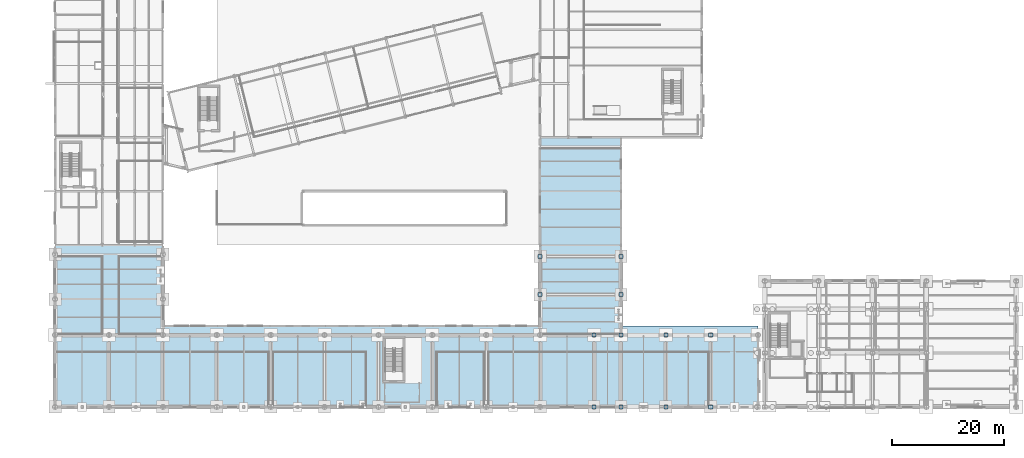
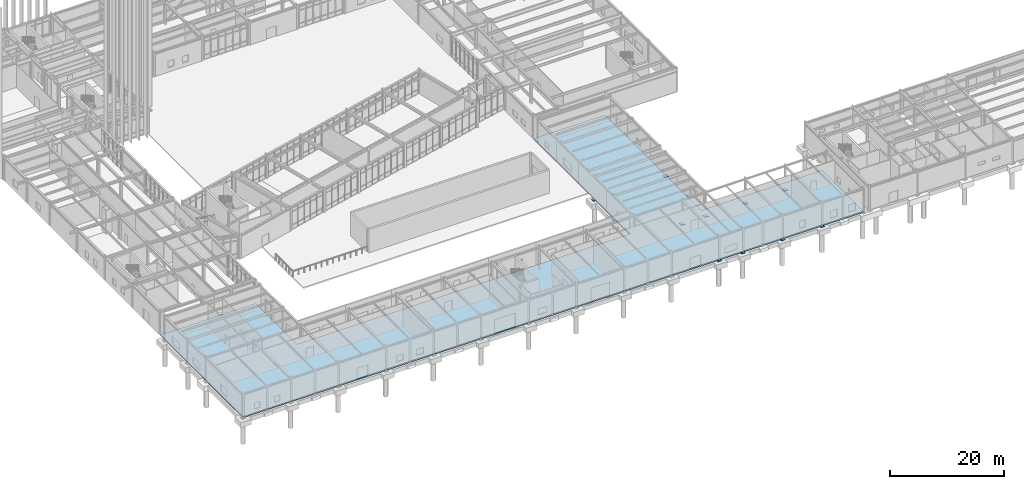
# One storey, part 69 of 109: 12 plates, 1 slab.
"""IFC4 building model written with IfcOpenShell, lengths in metres."""

import ifcopenshell
import ifcopenshell.guid

model = None  # the IFC model being written
_history = None  # IfcOwnerHistory: only IFC2X3 demands one
_inside = {}  # id of a spatial element -> (the spatial element, [elements in it])
_under = {}  # id of a project, library or spatial element -> (it, [spatial elements below it])
_declared = {}  # id of a project -> (the project, [libraries it declares])
_typed = {}  # id of a type object -> (the type object, [elements of that type])
_made_of = {}  # id of a material, layer set ... -> (it, [elements and type objects made of it])


def new_model(schema):
    """Start an empty IFC model of exactly this schema.

    Asked for "IFC4X3", IfcOpenShell would pick the latest addendum, in which some entities
    have other attributes; the version numbers below select the first issue.
    IFC2X3 requires an IfcOwnerHistory on every rooted entity: one is made here for all.
    """
    global model, _history
    if schema == "IFC4X3":
        model = ifcopenshell.file(schema_version=(4, 3, 0, 0))
    else:
        model = ifcopenshell.file(schema=schema)
    _inside.clear()
    _under.clear()
    _declared.clear()
    _typed.clear()
    _made_of.clear()
    _history = None
    if model.schema == "IFC2X3":
        org = make("IfcOrganization", Name="unknown")
        user = make(
            "IfcPersonAndOrganization",
            ThePerson=make("IfcPerson", FamilyName="unknown"),
            TheOrganization=org,
        )
        app = make(
            "IfcApplication",
            ApplicationDeveloper=org,
            Version="unknown",
            ApplicationFullName="unknown",
            ApplicationIdentifier="unknown",
        )
        _history = make(
            "IfcOwnerHistory",
            OwningUser=user,
            OwningApplication=app,
            ChangeAction="ADDED",
            CreationDate=0,
        )
    return model


def make(cls, **values):
    """One entity of the class cls with the attributes given. An attribute that is None is left unset."""
    return model.create_entity(
        cls, **{name: value for name, value in values.items() if value is not None}
    )


def rooted(cls, **values):
    """An entity with a GlobalId (a new one), such as an element, a storey or a relation."""
    return make(cls, GlobalId=ifcopenshell.guid.new(), OwnerHistory=_history, **values)


def si_unit(unit_type, name, prefix=None):
    """IfcSIUnit, for example si_unit("LENGTHUNIT", "METRE", prefix="MILLI")."""
    return make("IfcSIUnit", UnitType=unit_type, Prefix=prefix, Name=name)


def assignment(units):
    """IfcUnitAssignment: the units of a project."""
    return None if units is None else make("IfcUnitAssignment", Units=units)


def point(xyz):
    """IfcCartesianPoint."""
    return None if xyz is None else make("IfcCartesianPoint", Coordinates=xyz)


def direction(xyz):
    """IfcDirection."""
    return None if xyz is None else make("IfcDirection", DirectionRatios=xyz)


def frame(location, z_axis=None, x_axis=None):
    """IfcAxis2Placement3D, a coordinate frame: its origin and axes. An axis left out is left unset."""
    return make(
        "IfcAxis2Placement3D",
        Location=point(location),
        Axis=direction(z_axis),
        RefDirection=direction(x_axis),
    )


def frame_2d(location, x_axis=None):
    """IfcAxis2Placement2D, a coordinate frame in the plane: its origin and x axis."""
    return make(
        "IfcAxis2Placement2D", Location=point(location), RefDirection=direction(x_axis)
    )


def origin():
    """The frame at (0, 0, 0) with its axes left unset."""
    return frame((0.0, 0.0, 0.0))


def origin_2d():
    """The frame at (0, 0) in the plane with its x axis left unset."""
    return frame_2d((0.0, 0.0))


def place(relative_to, where):
    """IfcLocalPlacement: puts the frame where relative to a parent placement (None: the world)."""
    return make(
        "IfcLocalPlacement", PlacementRelTo=relative_to, RelativePlacement=where
    )


def context(
    kind, dimensions, precision=None, world=None, true_north=None, identifier=None
):
    """IfcGeometricRepresentationContext, for example the 3D "Model" context."""
    return make(
        "IfcGeometricRepresentationContext",
        ContextIdentifier=identifier,
        ContextType=kind,
        CoordinateSpaceDimension=dimensions,
        Precision=precision,
        WorldCoordinateSystem=world,
        TrueNorth=true_north,
    )


def subcontext(parent, identifier, kind, view, scale=None):
    """IfcGeometricRepresentationSubContext, for example "Body" below "Model"."""
    return make(
        "IfcGeometricRepresentationSubContext",
        ContextIdentifier=identifier,
        ContextType=kind,
        ParentContext=parent,
        TargetScale=scale,
        TargetView=view,
    )


def project(units=None, contexts=None):
    """IfcProject with its units and contexts."""
    return rooted(
        "IfcProject",
        Name="project",
        RepresentationContexts=contexts,
        UnitsInContext=assignment(units),
    )


def spatial(cls, under=None, at=None, **own):
    """A site, building, storey or space (cls), placed at a placement, below another one or the project."""
    s = rooted(cls, ObjectPlacement=at, **own)
    if under is not None:
        _under.setdefault(under.id(), (under, []))[1].append(s)
    return s


def polyline(points):
    """IfcPolyline through the points."""
    return make("IfcPolyline", Points=[point(p) for p in points])


def profile(cls, at=None, kind="AREA", **sizes):
    """A parametric profile (cls). Its sizes go by their IFC names, for example OverallWidth=200.0."""
    return make(cls, ProfileType=kind, Position=at, **sizes)


def rectangle(**sizes):
    """IfcRectangleProfileDef."""
    return profile("IfcRectangleProfileDef", **sizes)


def outline(outer, holes=None, kind="AREA"):
    """IfcArbitraryClosedProfileDef: a profile drawn as a closed curve; with holes, ...WithVoids."""
    if holes is None:
        return make("IfcArbitraryClosedProfileDef", ProfileType=kind, OuterCurve=outer)
    return make(
        "IfcArbitraryProfileDefWithVoids",
        ProfileType=kind,
        OuterCurve=outer,
        InnerCurves=holes,
    )


def extrude(swept, where, along, depth):
    """IfcExtrudedAreaSolid: the profile swept, set in the frame where, extruded along a direction by depth."""
    return make(
        "IfcExtrudedAreaSolid",
        SweptArea=swept,
        Position=where,
        ExtrudedDirection=direction(along),
        Depth=depth,
    )


def shape(context_of_items, identifier, shape_type, items):
    """IfcShapeRepresentation: the items that make up one representation, for example the "Body"."""
    return make(
        "IfcShapeRepresentation",
        ContextOfItems=context_of_items,
        RepresentationIdentifier=identifier,
        RepresentationType=shape_type,
        Items=items,
    )


def material(Name=None, Category=None):
    """IfcMaterial."""
    return make("IfcMaterial", Name=Name, Category=Category)


def layer(
    of_material, thickness, ventilated=None, Name=None, Category=None, Priority=None
):
    """IfcMaterialLayer: one layer of a wall or slab, of a material (None: an air gap)."""
    return make(
        "IfcMaterialLayer",
        Material=of_material,
        LayerThickness=thickness,
        IsVentilated=ventilated,
        Name=Name,
        Category=Category,
        Priority=Priority,
    )


def layer_set(layers, Name=None):
    """IfcMaterialLayerSet."""
    return make("IfcMaterialLayerSet", MaterialLayers=layers, LayerSetName=Name)


def made_of(thing, what):
    """Note that an element or type object is made of a material, layer set ...; save() writes the relation."""
    if what is not None:
        _made_of.setdefault(what.id(), (what, []))[1].append(thing)
    return thing


def type_object(cls, material=None, **own):
    """A type object (cls), such as IfcWallType, which elements share."""
    return made_of(rooted(cls, **own), material)


def element(
    cls,
    number,
    at=None,
    inside=None,
    cuts=None,
    type_object=None,
    material=None,
    context=None,
    identifier="Body",
    shape_type=None,
    held_by="IfcProductDefinitionShape",
    body=None,
    shapes=None,
    **own,
):
    """One element of the class cls, such as IfcWall. Its Tag is "e" and its number.

    at: its placement. inside: the storey or other place that contains it. cuts: it is an
    opening in that element (IfcRelVoidsElement). A single representation is given by context,
    identifier, shape_type and body (its items); several are given by shapes. held_by: the class
    of the entity that holds the representations. save() writes the other relations.
    """
    e = rooted(cls, Tag="e%d" % number, ObjectPlacement=at, **own)
    if body is not None:
        shapes = [shape(context, identifier, shape_type, body)]
    if shapes is not None:
        e.Representation = make(held_by, Representations=shapes)
    if inside is not None:
        _inside.setdefault(inside.id(), (inside, []))[1].append(e)
    if cuts is not None:
        rooted(
            "IfcRelVoidsElement", RelatingBuildingElement=cuts, RelatedOpeningElement=e
        )
    if type_object is not None:
        _typed.setdefault(type_object.id(), (type_object, []))[1].append(e)
    return made_of(e, material)


def aggregate(whole, parts):
    """IfcRelAggregates: a whole, such as a stair, and the parts it consists of."""
    return rooted("IfcRelAggregates", RelatingObject=whole, RelatedObjects=parts)


def save(model, path):
    """Write the relations noted so far, then the file.

    IfcRelAggregates (storeys below a building ...), IfcRelContainedInSpatialStructure (elements
    in a storey), IfcRelDefinesByType, IfcRelAssociatesMaterial and IfcRelDeclares: one each for
    every whole, place, type object, material and project.
    """
    for whole, parts in _under.values():
        aggregate(whole, parts)
    for where, things in _inside.values():
        rooted(
            "IfcRelContainedInSpatialStructure",
            RelatedElements=things,
            RelatingStructure=where,
        )
    for kind, things in _typed.values():
        rooted("IfcRelDefinesByType", RelatedObjects=things, RelatingType=kind)
    for what, things in _made_of.values():
        rooted("IfcRelAssociatesMaterial", RelatedObjects=things, RelatingMaterial=what)
    for by, libraries in _declared.values():
        rooted("IfcRelDeclares", RelatingContext=by, RelatedDefinitions=libraries)
    model.write(path)


model = new_model("IFC4")

# Units and contexts
model_context = context("Model", 3, precision=1e-05, world=origin(), true_north=direction((0.0, 1.0)))
body_context = subcontext(model_context, "Body", "Model", "MODEL_VIEW")
ifc_project = project(units=[si_unit("LENGTHUNIT", "METRE"), si_unit("AREAUNIT", "SQUARE_METRE"), si_unit("VOLUMEUNIT", "CUBIC_METRE"), si_unit("PLANEANGLEUNIT", "RADIAN"), si_unit("MASSUNIT", "GRAM", prefix="KILO")], contexts=[model_context])

# Site, building, storey
site_placement = place(None, origin())
site = spatial("IfcSite", under=ifc_project, at=site_placement, CompositionType="ELEMENT")
building_placement = place(site_placement, origin())
building = spatial("IfcBuilding", under=site, at=building_placement, Name="Nordkorset Police Headquarters", CompositionType="ELEMENT")
storey_placement = place(building_placement, origin())
storey = spatial("IfcBuildingStorey", under=building, at=storey_placement, Name="L00", CompositionType="ELEMENT", Elevation=0.0)

# Slab
ifc_material_1 = material(Name="Concrete C35/45", Category="concrete")
ifc_layer_1 = layer(ifc_material_1, 0.27001953125, Name="Concrete C35/45")
ifc_layer_set_1 = layer_set([ifc_layer_1], Name="Concrete C35/45")
slab_type = type_object("IfcSlabType", Name="Slab_Ground_270", PredefinedType="FLOOR", material=ifc_layer_set_1)
slab_placement = place(storey_placement, frame((0.0, 0.0, -0.27001953125)))
element("IfcSlab", 1, at=slab_placement, inside=storey, type_object=slab_type, Name="Logistics Plinth Floor Slab V7 L00", PredefinedType="FLOOR", context=body_context, shape_type="SweptSolid", body=[
    extrude(outline(polyline([(0.0, 0.0), (125.199951171875, 0.0), (125.199951171875, 14.39990234375), (100.800048828125, 14.39990234375), (100.800048828125, 47.989990234375), (86.39990234375, 47.989990234375), (86.39990234375, 14.39990234375), (19.199951171875, 14.39990234375), (19.199951171875, 28.7900390625), (0.0, 28.7900390625), (0.0, 0.0)])), origin(), (0.0, 0.0, 1.0), 0.27001953125),
])

# Plates
ifc_material_2 = material(Name="Steel S355J2", Category="steel")
ifc_layer_2 = layer(ifc_material_2, 0.0400390625, Name="Steel S355J2")
ifc_layer_set_2 = layer_set([ifc_layer_2], Name="Steel S355J2")
plate_type = type_object("IfcPlateType", Name="SteelPlate_40mm", PredefinedType="SHEET", material=ifc_layer_set_2)
for number, where, z_axis, x_axis, name in (
    (2, (96.0, 0.0, -0.27001953125), (0.0, 0.0, 1.0), (1.0, 0.0, 0.0), "Column Baseplate V7_S0_10"),
    (3, (96.0, 12.800048828125, -0.27001953125), (0.0, 0.0, 1.0), (1.0, 0.0, 0.0), "Column Baseplate V7_S1_10"),
    (4, (100.800048828125, 0.0, -0.27001953125), (0.0, 0.0, 1.0), (1.0, 0.0, 0.0), "Column Baseplate V7_S0_11"),
    (5, (100.800048828125, 12.800048828125, -0.27001953125), (0.0, 0.0, 1.0), (1.0, 0.0, 0.0), "Column Baseplate V7_S1_11"),
    (6, (108.800048828125, 0.0, -0.27001953125), (0.0, 0.0, 1.0), (1.0, 0.0, 0.0), "Column Baseplate V7_S0_12"),
    (7, (108.800048828125, 12.800048828125, -0.27001953125), (0.0, 0.0, 1.0), (1.0, 0.0, 0.0), "Column Baseplate V7_S1_12"),
    (8, (116.800048828125, 0.0, -0.27001953125), (0.0, 0.0, 1.0), (1.0, 0.0, 0.0), "Column Baseplate V7_S0_13"),
    (9, (116.800048828125, 12.800048828125, -0.27001953125), (0.0, 0.0, 1.0), (1.0, 0.0, 0.0), "Column Baseplate V7_S1_13"),
    (10, (86.39990234375, 20.0, -0.27001953125), (0.0, 0.0, 1.0), (1.0, 0.0, 0.0), "Column Baseplate V7_EC_0_200"),
    (11, (100.800048828125, 20.0, -0.27001953125), (0.0, 0.0, 1.0), (1.0, 0.0, 0.0), "Column Baseplate V7_EC_1_200"),
    (12, (86.39990234375, 26.800048828125, -0.27001953125), (0.0, 0.0, 1.0), (1.0, 0.0, 0.0), "Column Baseplate V7_EC_0_268"),
    (13, (100.800048828125, 26.800048828125, -0.27001953125), (0.0, 0.0, 1.0), (1.0, 0.0, 0.0), "Column Baseplate V7_EC_1_268"),
):
    element("IfcPlate", number, at=place(storey_placement, frame(where, z_axis=z_axis, x_axis=x_axis)), inside=storey, type_object=plate_type, Name=name, PredefinedType="SHEET", context=body_context, shape_type="SweptSolid", body=[
        extrude(rectangle(XDim=0.75, YDim=0.75, at=origin_2d()), origin(), (0.0, 0.0, 1.0), 0.0400390625),
    ])

save(model, "model.ifc")
